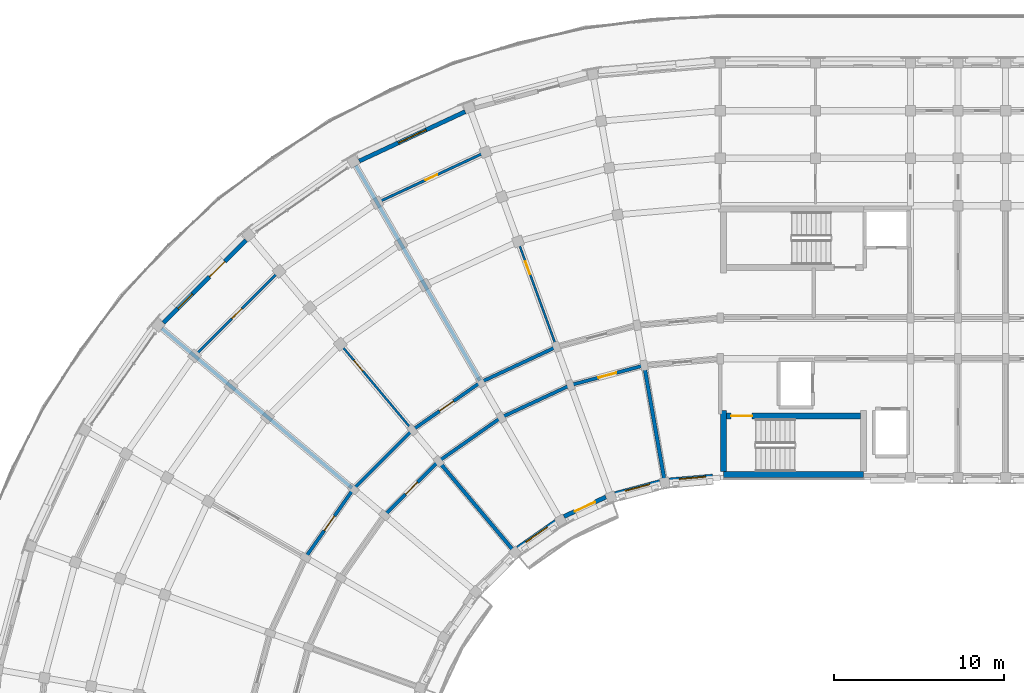
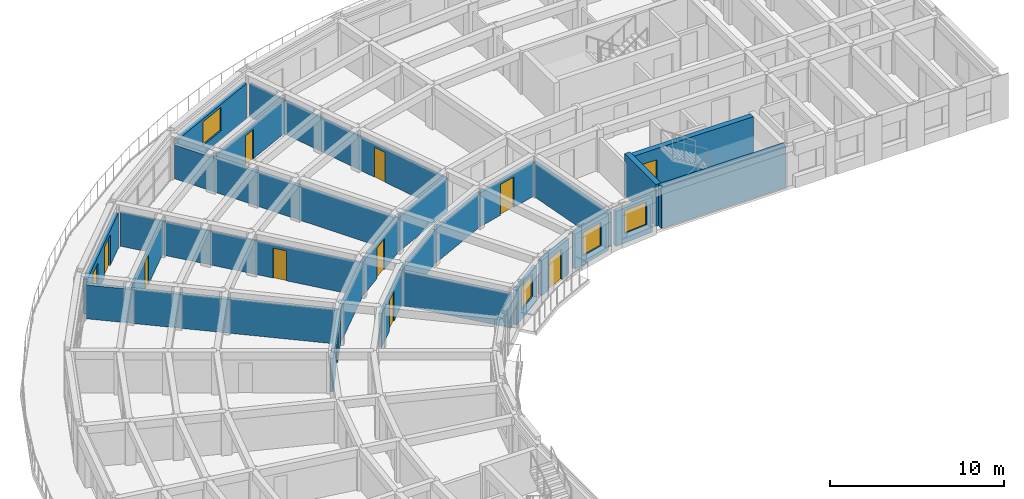
# One storey, part 13 of 32: 25 walls, 11 doors, 5 windows, 16 openings.
"""IFC4 building model written with IfcOpenShell, lengths in metres."""

import ifcopenshell
import ifcopenshell.guid

model = None  # the IFC model being written
_history = None  # IfcOwnerHistory: only IFC2X3 demands one
_inside = {}  # id of a spatial element -> (the spatial element, [elements in it])
_under = {}  # id of a project, library or spatial element -> (it, [spatial elements below it])
_declared = {}  # id of a project -> (the project, [libraries it declares])
_typed = {}  # id of a type object -> (the type object, [elements of that type])
_made_of = {}  # id of a material, layer set ... -> (it, [elements and type objects made of it])


def new_model(schema):
    """Start an empty IFC model of exactly this schema.

    Asked for "IFC4X3", IfcOpenShell would pick the latest addendum, in which some entities
    have other attributes; the version numbers below select the first issue.
    IFC2X3 requires an IfcOwnerHistory on every rooted entity: one is made here for all.
    """
    global model, _history
    if schema == "IFC4X3":
        model = ifcopenshell.file(schema_version=(4, 3, 0, 0))
    else:
        model = ifcopenshell.file(schema=schema)
    _inside.clear()
    _under.clear()
    _declared.clear()
    _typed.clear()
    _made_of.clear()
    _history = None
    if model.schema == "IFC2X3":
        org = make("IfcOrganization", Name="unknown")
        user = make(
            "IfcPersonAndOrganization",
            ThePerson=make("IfcPerson", FamilyName="unknown"),
            TheOrganization=org,
        )
        app = make(
            "IfcApplication",
            ApplicationDeveloper=org,
            Version="unknown",
            ApplicationFullName="unknown",
            ApplicationIdentifier="unknown",
        )
        _history = make(
            "IfcOwnerHistory",
            OwningUser=user,
            OwningApplication=app,
            ChangeAction="ADDED",
            CreationDate=0,
        )
    return model


def make(cls, **values):
    """One entity of the class cls with the attributes given. An attribute that is None is left unset."""
    return model.create_entity(
        cls, **{name: value for name, value in values.items() if value is not None}
    )


def rooted(cls, **values):
    """An entity with a GlobalId (a new one), such as an element, a storey or a relation."""
    return make(cls, GlobalId=ifcopenshell.guid.new(), OwnerHistory=_history, **values)


def si_unit(unit_type, name, prefix=None):
    """IfcSIUnit, for example si_unit("LENGTHUNIT", "METRE", prefix="MILLI")."""
    return make("IfcSIUnit", UnitType=unit_type, Prefix=prefix, Name=name)


def assignment(units):
    """IfcUnitAssignment: the units of a project."""
    return None if units is None else make("IfcUnitAssignment", Units=units)


def point(xyz):
    """IfcCartesianPoint."""
    return None if xyz is None else make("IfcCartesianPoint", Coordinates=xyz)


def direction(xyz):
    """IfcDirection."""
    return None if xyz is None else make("IfcDirection", DirectionRatios=xyz)


def frame(location, z_axis=None, x_axis=None):
    """IfcAxis2Placement3D, a coordinate frame: its origin and axes. An axis left out is left unset."""
    return make(
        "IfcAxis2Placement3D",
        Location=point(location),
        Axis=direction(z_axis),
        RefDirection=direction(x_axis),
    )


def frame_2d(location, x_axis=None):
    """IfcAxis2Placement2D, a coordinate frame in the plane: its origin and x axis."""
    return make(
        "IfcAxis2Placement2D", Location=point(location), RefDirection=direction(x_axis)
    )


def origin():
    """The frame at (0, 0, 0) with its axes left unset."""
    return frame((0.0, 0.0, 0.0))


def place(relative_to, where):
    """IfcLocalPlacement: puts the frame where relative to a parent placement (None: the world)."""
    return make(
        "IfcLocalPlacement", PlacementRelTo=relative_to, RelativePlacement=where
    )


def context(
    kind, dimensions, precision=None, world=None, true_north=None, identifier=None
):
    """IfcGeometricRepresentationContext, for example the 3D "Model" context."""
    return make(
        "IfcGeometricRepresentationContext",
        ContextIdentifier=identifier,
        ContextType=kind,
        CoordinateSpaceDimension=dimensions,
        Precision=precision,
        WorldCoordinateSystem=world,
        TrueNorth=true_north,
    )


def subcontext(parent, identifier, kind, view, scale=None):
    """IfcGeometricRepresentationSubContext, for example "Body" below "Model"."""
    return make(
        "IfcGeometricRepresentationSubContext",
        ContextIdentifier=identifier,
        ContextType=kind,
        ParentContext=parent,
        TargetScale=scale,
        TargetView=view,
    )


def project(units=None, contexts=None):
    """IfcProject with its units and contexts."""
    return rooted(
        "IfcProject",
        Name="project",
        RepresentationContexts=contexts,
        UnitsInContext=assignment(units),
    )


def spatial(cls, under=None, at=None, **own):
    """A site, building, storey or space (cls), placed at a placement, below another one or the project."""
    s = rooted(cls, ObjectPlacement=at, **own)
    if under is not None:
        _under.setdefault(under.id(), (under, []))[1].append(s)
    return s


def profile(cls, at=None, kind="AREA", **sizes):
    """A parametric profile (cls). Its sizes go by their IFC names, for example OverallWidth=200.0."""
    return make(cls, ProfileType=kind, Position=at, **sizes)


def rectangle(**sizes):
    """IfcRectangleProfileDef."""
    return profile("IfcRectangleProfileDef", **sizes)


def extrude(swept, where, along, depth):
    """IfcExtrudedAreaSolid: the profile swept, set in the frame where, extruded along a direction by depth."""
    return make(
        "IfcExtrudedAreaSolid",
        SweptArea=swept,
        Position=where,
        ExtrudedDirection=direction(along),
        Depth=depth,
    )


def shape(context_of_items, identifier, shape_type, items):
    """IfcShapeRepresentation: the items that make up one representation, for example the "Body"."""
    return make(
        "IfcShapeRepresentation",
        ContextOfItems=context_of_items,
        RepresentationIdentifier=identifier,
        RepresentationType=shape_type,
        Items=items,
    )


def material(Name=None, Category=None):
    """IfcMaterial."""
    return make("IfcMaterial", Name=Name, Category=Category)


def layer(
    of_material, thickness, ventilated=None, Name=None, Category=None, Priority=None
):
    """IfcMaterialLayer: one layer of a wall or slab, of a material (None: an air gap)."""
    return make(
        "IfcMaterialLayer",
        Material=of_material,
        LayerThickness=thickness,
        IsVentilated=ventilated,
        Name=Name,
        Category=Category,
        Priority=Priority,
    )


def layer_set(layers, Name=None):
    """IfcMaterialLayerSet."""
    return make("IfcMaterialLayerSet", MaterialLayers=layers, LayerSetName=Name)


def made_of(thing, what):
    """Note that an element or type object is made of a material, layer set ...; save() writes the relation."""
    if what is not None:
        _made_of.setdefault(what.id(), (what, []))[1].append(thing)
    return thing


def type_object(cls, material=None, **own):
    """A type object (cls), such as IfcWallType, which elements share."""
    return made_of(rooted(cls, **own), material)


def element(
    cls,
    number,
    at=None,
    inside=None,
    cuts=None,
    type_object=None,
    material=None,
    context=None,
    identifier="Body",
    shape_type=None,
    held_by="IfcProductDefinitionShape",
    body=None,
    shapes=None,
    **own,
):
    """One element of the class cls, such as IfcWall. Its Tag is "e" and its number.

    at: its placement. inside: the storey or other place that contains it. cuts: it is an
    opening in that element (IfcRelVoidsElement). A single representation is given by context,
    identifier, shape_type and body (its items); several are given by shapes. held_by: the class
    of the entity that holds the representations. save() writes the other relations.
    """
    e = rooted(cls, Tag="e%d" % number, ObjectPlacement=at, **own)
    if body is not None:
        shapes = [shape(context, identifier, shape_type, body)]
    if shapes is not None:
        e.Representation = make(held_by, Representations=shapes)
    if inside is not None:
        _inside.setdefault(inside.id(), (inside, []))[1].append(e)
    if cuts is not None:
        rooted(
            "IfcRelVoidsElement", RelatingBuildingElement=cuts, RelatedOpeningElement=e
        )
    if type_object is not None:
        _typed.setdefault(type_object.id(), (type_object, []))[1].append(e)
    return made_of(e, material)


def fill(opening, filler):
    """IfcRelFillsElement: the door or window that sits in an opening."""
    return rooted(
        "IfcRelFillsElement",
        RelatingOpeningElement=opening,
        RelatedBuildingElement=filler,
    )


def aggregate(whole, parts):
    """IfcRelAggregates: a whole, such as a stair, and the parts it consists of."""
    return rooted("IfcRelAggregates", RelatingObject=whole, RelatedObjects=parts)


def save(model, path):
    """Write the relations noted so far, then the file.

    IfcRelAggregates (storeys below a building ...), IfcRelContainedInSpatialStructure (elements
    in a storey), IfcRelDefinesByType, IfcRelAssociatesMaterial and IfcRelDeclares: one each for
    every whole, place, type object, material and project.
    """
    for whole, parts in _under.values():
        aggregate(whole, parts)
    for where, things in _inside.values():
        rooted(
            "IfcRelContainedInSpatialStructure",
            RelatedElements=things,
            RelatingStructure=where,
        )
    for kind, things in _typed.values():
        rooted("IfcRelDefinesByType", RelatedObjects=things, RelatingType=kind)
    for what, things in _made_of.values():
        rooted("IfcRelAssociatesMaterial", RelatedObjects=things, RelatingMaterial=what)
    for by, libraries in _declared.values():
        rooted("IfcRelDeclares", RelatingContext=by, RelatedDefinitions=libraries)
    model.write(path)


model = new_model("IFC4")

# Units and contexts
model_context = context("Model", 3, precision=1e-05, world=origin(), true_north=direction((0.0, 1.0)))
body_context = subcontext(model_context, "Body", "Model", "MODEL_VIEW")
ifc_project = project(units=[si_unit("LENGTHUNIT", "METRE"), si_unit("AREAUNIT", "SQUARE_METRE"), si_unit("VOLUMEUNIT", "CUBIC_METRE"), si_unit("PLANEANGLEUNIT", "RADIAN"), si_unit("MASSUNIT", "GRAM", prefix="KILO")], contexts=[model_context])

# Site, building, storey
site_placement = place(None, origin())
site = spatial("IfcSite", under=ifc_project, at=site_placement, CompositionType="ELEMENT")
building_placement = place(site_placement, origin())
building = spatial("IfcBuilding", under=site, at=building_placement, Name="Kiranvali Square Residences", CompositionType="ELEMENT")
storey_placement = place(building_placement, frame((0.0, 0.0, 40.199951171875)))
storey = spatial("IfcBuildingStorey", under=building, at=storey_placement, Name="L12", CompositionType="ELEMENT", Elevation=40.199951171875)

# Wall, opening, door
ifc_material_1 = material(Name="Autoclaved aerated concrete blockwork masonry", Category="masonry")
ifc_layer_1 = layer(ifc_material_1, 0.199951171875)
ifc_layer_set_1 = layer_set([ifc_layer_1], Name="Autoclaved aerated concrete blockwork masonry")
wall_type_1 = type_object("IfcWallType", Name="WL-COR-200", PredefinedType="STANDARD", material=ifc_layer_set_1)
wall_1_placement = place(storey_placement, frame((43.719970703125, 113.2080078125, 0.0), z_axis=(0.0, 0.0, 1.0), x_axis=(-0.965934240054, -0.258787642463, 0.0)))
wall_1 = element("IfcWall", 1, at=wall_1_placement, inside=storey, type_object=wall_type_1, Name="L12 architectural wall WL-L12-A-CCI-1", PredefinedType="STANDARD", context=body_context, shape_type="SweptSolid", body=[
    extrude(rectangle(XDim=4.497314453125, YDim=0.199951171875, at=frame_2d((2.24853515625, 0.0))), origin(), (0.0, 0.0, 1.0), 2.3720703125),
])
opening_1_placement = place(wall_1_placement, frame((1.708740234375, 0.0, 0.0)))
opening_1 = element("IfcOpeningElement", 2, at=opening_1_placement, cuts=wall_1, Name="Opening FD-APT-60C", PredefinedType="OPENING", context=body_context, shape_type="SweptSolid", body=[
    extrude(rectangle(XDim=1.080078125, YDim=2.14990234375, at=frame_2d((0.5400390625, 1.074951171875))), frame((0.0, 0.10986328125, 0.0), z_axis=(0.0, -1.0, 0.0), x_axis=(1.0, 0.0, 0.0)), (0.0, 0.0, 1.0), 0.219970703125),
])
ifc_material_2 = material(Name="Fire-rated acoustic hardwood and mineral-core door assembly", Category="wood")
door_type_1 = type_object("IfcDoorType", Name="DR-APT-1080", OperationType="NOTDEFINED", PredefinedType="DOOR", material=ifc_material_2)
door_1_placement = place(opening_1_placement, frame((1.080078125, 0.0, 0.0), z_axis=(0.0, 0.0, 1.0), x_axis=(-1.0, 0.0, 0.0)))
door_1 = element("IfcDoor", 3, at=door_1_placement, inside=storey, type_object=door_type_1, Name="L12 door DR-L12-0782 (DR-APT-1080)", OperationType="SINGLE_SWING_RIGHT", OverallHeight=2.14990234375, OverallWidth=1.080078125, PredefinedType="DOOR", context=body_context, shape_type="SweptSolid", body=[
    extrude(rectangle(XDim=1.080078125, YDim=2.14990234375, at=frame_2d((0.5400390625, 1.074951171875))), frame((0.0, 0.02490234375, 0.0), z_axis=(0.0, -1.0, 0.0), x_axis=(1.0, 0.0, 0.0)), (0.0, 0.0, 1.0), 0.050048828125),
])
fill(opening_1, door_1)

# Walls
wall_2_placement = place(storey_placement, frame((39.3759765625, 112.044189453125, 0.0), z_axis=(0.0, 0.0, 1.0), x_axis=(-0.906307919131, -0.422617978463, 0.0)))
element("IfcWall", 4, at=wall_2_placement, inside=storey, type_object=wall_type_1, Name="L12 architectural wall WL-L12-A-CCI-2", PredefinedType="STANDARD", context=body_context, shape_type="SweptSolid", body=[
    extrude(rectangle(XDim=4.497314453125, YDim=0.199951171875, at=frame_2d((2.24853515625, 0.0))), origin(), (0.0, 0.0, 1.0), 2.3720703125),
])
wall_3_placement = place(storey_placement, frame((38.554931640625, 114.29931640625, 0.0), z_axis=(0.0, 0.0, 1.0), x_axis=(-0.906302381024, -0.422629854778, 0.0)))
element("IfcWall", 5, at=wall_3_placement, inside=storey, type_object=wall_type_1, Name="L12 architectural wall WL-L12-A-CCO-2", PredefinedType="STANDARD", context=body_context, shape_type="SweptSolid", body=[
    extrude(rectangle(XDim=4.915283203125, YDim=0.199951171875, at=frame_2d((2.45751953125, 0.0))), origin(), (0.0, 0.0, 1.0), 2.3720703125),
])
wall_4_placement = place(storey_placement, frame((35.300048828125, 110.1435546875, 0.0), z_axis=(0.0, 0.0, 1.0), x_axis=(-0.819155404658, -0.573571637217, 0.0)))
element("IfcWall", 6, at=wall_4_placement, inside=storey, type_object=wall_type_1, Name="L12 architectural wall WL-L12-A-CCI-3", PredefinedType="STANDARD", context=body_context, shape_type="SweptSolid", body=[
    extrude(rectangle(XDim=4.497314453125, YDim=0.199951171875, at=frame_2d((2.24853515625, 0.0))), origin(), (0.0, 0.0, 1.0), 2.3720703125),
])

# Wall, opening, door
wall_5_placement = place(storey_placement, frame((34.10009765625, 112.221923828125, 0.0), z_axis=(0.0, 0.0, 1.0), x_axis=(-0.819140911474, -0.573592335331, 0.0)))
wall_5 = element("IfcWall", 7, at=wall_5_placement, inside=storey, type_object=wall_type_1, Name="L12 architectural wall WL-L12-A-CCO-3", PredefinedType="STANDARD", context=body_context, shape_type="SweptSolid", body=[
    extrude(rectangle(XDim=4.915771484375, YDim=0.199951171875, at=frame_2d((2.4580078125, 0.0))), origin(), (0.0, 0.0, 1.0), 2.3720703125),
])
opening_2_placement = place(wall_5_placement, frame((1.957763671875, 0.0, 0.0)))
opening_2 = element("IfcOpeningElement", 8, at=opening_2_placement, cuts=wall_5, Name="Opening FD-APT-60", PredefinedType="OPENING", context=body_context, shape_type="SweptSolid", body=[
    extrude(rectangle(XDim=1.0, YDim=2.14990234375, at=frame_2d((0.5, 1.074951171875))), frame((0.0, 0.10986328125, 0.0), z_axis=(0.0, -1.0, 0.0), x_axis=(1.0, 0.0, 0.0)), (0.0, 0.0, 1.0), 0.219970703125),
])
door_type_2 = type_object("IfcDoorType", Name="DR-APT-1000", OperationType="NOTDEFINED", PredefinedType="DOOR", material=ifc_material_2)
door_2_placement = place(opening_2_placement, origin())
door_2 = element("IfcDoor", 9, at=door_2_placement, inside=storey, type_object=door_type_2, Name="L12 door DR-L12-0775 (DR-APT-1000)", OperationType="SINGLE_SWING_LEFT", OverallHeight=2.14990234375, OverallWidth=1.0, PredefinedType="DOOR", context=body_context, shape_type="SweptSolid", body=[
    extrude(rectangle(XDim=1.0, YDim=2.14990234375, at=frame_2d((0.5, 1.074951171875))), frame((0.0, 0.02490234375, 0.0), z_axis=(0.0, -1.0, 0.0), x_axis=(1.0, 0.0, 0.0)), (0.0, 0.0, 1.0), 0.050048828125),
])
fill(opening_2, door_2)

wall_6_placement = place(storey_placement, frame((31.615966796875, 107.56396484375, 0.0), z_axis=(0.0, 0.0, 1.0), x_axis=(-0.707106781187, -0.707106781187, 0.0)))
wall_6 = element("IfcWall", 10, at=wall_6_placement, inside=storey, type_object=wall_type_1, Name="L12 architectural wall WL-L12-A-CCI-4", PredefinedType="STANDARD", context=body_context, shape_type="SweptSolid", body=[
    extrude(rectangle(XDim=4.4970703125, YDim=0.199951171875, at=frame_2d((2.24853515625, 0.0))), origin(), (0.0, 0.0, 1.0), 2.3720703125),
])
opening_3_placement = place(wall_6_placement, frame((1.74853515625, 0.0, 0.0)))
opening_3 = element("IfcOpeningElement", 11, at=opening_3_placement, cuts=wall_6, Name="Opening FD-APT-60", PredefinedType="OPENING", context=body_context, shape_type="SweptSolid", body=[
    extrude(rectangle(XDim=1.0, YDim=2.14990234375, at=frame_2d((0.5, 1.074951171875))), frame((0.0, 0.10986328125, 0.0), z_axis=(0.0, -1.0, 0.0), x_axis=(1.0, 0.0, 0.0)), (0.0, 0.0, 1.0), 0.219970703125),
])
door_3_placement = place(opening_3_placement, origin())
door_3 = element("IfcDoor", 12, at=door_3_placement, inside=storey, type_object=door_type_2, Name="L12 door DR-L12-0783 (DR-APT-1000)", OperationType="SINGLE_SWING_LEFT", OverallHeight=2.14990234375, OverallWidth=1.0, PredefinedType="DOOR", context=body_context, shape_type="SweptSolid", body=[
    extrude(rectangle(XDim=1.0, YDim=2.14990234375, at=frame_2d((0.5, 1.074951171875))), frame((0.0, 0.02490234375, 0.0), z_axis=(0.0, -1.0, 0.0), x_axis=(1.0, 0.0, 0.0)), (0.0, 0.0, 1.0), 0.050048828125),
])
fill(opening_3, door_3)

# Wall
wall_7_placement = place(storey_placement, frame((30.073486328125, 109.40234375, 0.0), z_axis=(0.0, 0.0, 1.0), x_axis=(-0.707106781187, -0.707106781187, 0.0)))
element("IfcWall", 13, at=wall_7_placement, inside=storey, type_object=wall_type_1, Name="L12 architectural wall WL-L12-A-CCO-4", PredefinedType="STANDARD", context=body_context, shape_type="SweptSolid", body=[
    extrude(rectangle(XDim=4.91552734375, YDim=0.199951171875, at=frame_2d((2.457763671875, 0.0))), origin(), (0.0, 0.0, 1.0), 2.3720703125),
])

# Wall, opening, door
wall_8_placement = place(storey_placement, frame((26.59765625, 105.926513671875, 0.0), z_axis=(0.0, 0.0, 1.0), x_axis=(-0.573592335331, -0.819140911474, 0.0)))
wall_8 = element("IfcWall", 14, at=wall_8_placement, inside=storey, type_object=wall_type_1, Name="L12 architectural wall WL-L12-A-CCO-5", PredefinedType="STANDARD", context=body_context, shape_type="SweptSolid", body=[
    extrude(rectangle(XDim=4.915771484375, YDim=0.199951171875, at=frame_2d((2.4580078125, 0.0))), origin(), (0.0, 0.0, 1.0), 2.3720703125),
])
opening_4_placement = place(wall_8_placement, frame((1.937744140625, 0.0, 0.0)))
opening_4 = element("IfcOpeningElement", 15, at=opening_4_placement, cuts=wall_8, Name="Opening FD-APT-60B", PredefinedType="OPENING", context=body_context, shape_type="SweptSolid", body=[
    extrude(rectangle(XDim=1.0400390625, YDim=2.14990234375, at=frame_2d((0.52001953125, 1.074951171875))), frame((0.0, 0.10986328125, 0.0), z_axis=(0.0, -1.0, 0.0), x_axis=(1.0, 0.0, 0.0)), (0.0, 0.0, 1.0), 0.219970703125),
])
door_type_3 = type_object("IfcDoorType", Name="DR-APT-1040", OperationType="NOTDEFINED", PredefinedType="DOOR", material=ifc_material_2)
door_4_placement = place(opening_4_placement, origin())
door_4 = element("IfcDoor", 16, at=door_4_placement, inside=storey, type_object=door_type_3, Name="L12 door DR-L12-0777 (DR-APT-1040)", OperationType="SINGLE_SWING_LEFT", OverallHeight=2.14990234375, OverallWidth=1.0400390625, PredefinedType="DOOR", context=body_context, shape_type="SweptSolid", body=[
    extrude(rectangle(XDim=1.0400390625, YDim=2.14990234375, at=frame_2d((0.52001953125, 1.074951171875))), frame((0.0, 0.02490234375, 0.0), z_axis=(0.0, -1.0, 0.0), x_axis=(1.0, 0.0, 0.0)), (0.0, 0.0, 1.0), 0.050048828125),
])
fill(opening_4, door_4)

# Walls
ifc_layer_2 = layer(ifc_material_1, 0.219970703125)
ifc_layer_set_2 = layer_set([ifc_layer_2], Name="Autoclaved aerated concrete blockwork masonry")
wall_type_2 = type_object("IfcWallType", Name="WL-DEM-220", PredefinedType="STANDARD", material=ifc_layer_set_2)
wall_9_placement = place(storey_placement, frame((44.900634765625, 106.51123046875, 0.0), z_axis=(0.0, 0.0, 1.0), x_axis=(-0.173647089161, 0.984807944945, 0.0)))
element("IfcWall", 17, at=wall_9_placement, inside=storey, type_object=wall_type_2, Name="L12 architectural wall WL-L12-A-RADI-1", PredefinedType="STANDARD", context=body_context, shape_type="SweptSolid", body=[
    extrude(rectangle(XDim=6.75, YDim=0.219970703125, at=frame_2d((3.375, 0.0))), origin(), (0.0, 0.0, 1.0), 2.3720703125),
])
wall_10_placement = place(storey_placement, frame((34.050048828125, 112.30859375, 0.0), z_axis=(0.0, 0.0, 1.0), x_axis=(-0.500007702989, 0.866020956416, 0.0)))
element("IfcWall", 18, at=wall_10_placement, inside=storey, type_object=wall_type_2, Name="L12 architectural wall WL-L12-A-RADO-3", PredefinedType="STANDARD", context=body_context, shape_type="SweptSolid", body=[
    extrude(rectangle(XDim=14.619873046875, YDim=0.219970703125, at=frame_2d((7.31005859375, 0.0))), origin(), (0.0, 0.0, 1.0), 2.3720703125),
])
wall_11_placement = place(storey_placement, frame((35.987060546875, 102.354736328125, 0.0), z_axis=(0.0, 0.0, 1.0), x_axis=(-0.642784846501, 0.766046761698, 0.0)))
element("IfcWall", 19, at=wall_11_placement, inside=storey, type_object=wall_type_2, Name="L12 architectural wall WL-L12-A-RADI-4", PredefinedType="STANDARD", context=body_context, shape_type="SweptSolid", body=[
    extrude(rectangle(XDim=6.75, YDim=0.219970703125, at=frame_2d((3.375, 0.0))), origin(), (0.0, 0.0, 1.0), 2.3720703125),
])
wall_12_placement = place(storey_placement, frame((26.52099609375, 105.990966796875, 0.0), z_axis=(0.0, 0.0, 1.0), x_axis=(-0.76605148563, 0.642779216656, 0.0)))
element("IfcWall", 20, at=wall_12_placement, inside=storey, type_object=wall_type_2, Name="L12 architectural wall WL-L12-A-RADO-5", PredefinedType="STANDARD", context=body_context, shape_type="SweptSolid", body=[
    extrude(rectangle(XDim=14.6201171875, YDim=0.219970703125, at=frame_2d((7.31005859375, 0.0))), origin(), (0.0, 0.0, 1.0), 2.3720703125),
])

# Wall, opening, window
ifc_material_3 = material(Name="Breathable lime-rendered clay brick masonry", Category="masonry")
ifc_layer_3 = layer(ifc_material_3, 0.25)
ifc_layer_set_3 = layer_set([ifc_layer_3], Name="Breathable lime-rendered clay brick masonry")
wall_type_3 = type_object("IfcWallType", Name="WL-EXT-250", PredefinedType="STANDARD", material=ifc_layer_set_3)
wall_13_placement = place(storey_placement, frame((33.182373046875, 128.143798828125, 0.0), z_axis=(0.0, 0.0, 1.0), x_axis=(-0.906302789289, -0.422628979279, 0.0)))
wall_13 = element("IfcWall", 21, at=wall_13_placement, inside=storey, type_object=wall_type_3, Name="L12 exterior wall A-L12-CRV-02", PredefinedType="STANDARD", context=body_context, shape_type="SweptSolid", body=[
    extrude(rectangle(XDim=6.87890625, YDim=0.25, at=frame_2d((3.439453125, 0.0))), origin(), (0.0, 0.0, 1.0), 2.47998046875),
])
opening_5_placement = place(wall_13_placement, frame((2.53955078125, 0.0, 0.6298828125)))
opening_5 = element("IfcOpeningElement", 22, at=opening_5_placement, cuts=wall_13, Name="Opening W-04", PredefinedType="OPENING", context=body_context, shape_type="SweptSolid", body=[
    extrude(rectangle(XDim=1.800048828125, YDim=1.64990234375, at=frame_2d((0.89990234375, 0.824951171875))), frame((0.0, 0.135009765625, 0.0), z_axis=(0.0, -1.0, 0.0), x_axis=(1.0, 0.0, 0.0)), (0.0, 0.0, 1.0), 0.27001953125),
])
ifc_material_4 = material(Name="Solar-control low-e double glazing", Category="glass")
window_type_1 = type_object("IfcWindowType", Name="WIN-RES-1800x1650", PartitioningType="DOUBLE_PANEL_VERTICAL", PredefinedType="WINDOW", material=ifc_material_4)
window_1_placement = place(opening_5_placement, origin())
window_1 = element("IfcWindow", 23, at=window_1_placement, inside=storey, type_object=window_type_1, Name="L12 recessed window A-L12-CRV-02", OverallHeight=1.64990234375, OverallWidth=1.800048828125, PartitioningType="DOUBLE_PANEL_VERTICAL", PredefinedType="WINDOW", context=body_context, shape_type="SweptSolid", body=[
    extrude(rectangle(XDim=1.800048828125, YDim=1.64990234375, at=frame_2d((0.89990234375, 0.824951171875))), frame((0.0, 0.030029296875, 0.0), z_axis=(0.0, -1.0, 0.0), x_axis=(1.0, 0.0, 0.0)), (0.0, 0.0, 1.0), 0.06005859375),
])
fill(opening_5, window_1)

# Wall, openings, door, window
wall_14_placement = place(storey_placement, frame((20.289794921875, 120.574462890625, 0.0), z_axis=(0.0, 0.0, 1.0), x_axis=(-0.707106781187, -0.707106781187, 0.0)))
wall_14 = element("IfcWall", 24, at=wall_14_placement, inside=storey, type_object=wall_type_3, Name="L12 exterior wall A-L12-CRV-04", PredefinedType="STANDARD", context=body_context, shape_type="SweptSolid", body=[
    extrude(rectangle(XDim=6.879150390625, YDim=0.25, at=frame_2d((3.439453125, 0.0))), origin(), (0.0, 0.0, 1.0), 2.47998046875),
])
opening_6_placement = place(wall_14_placement, frame((4.478759765625, 0.0, 0.530029296875)))
opening_6 = element("IfcOpeningElement", 25, at=opening_6_placement, cuts=wall_14, Name="Opening W-06", PredefinedType="OPENING", context=body_context, shape_type="SweptSolid", body=[
    extrude(rectangle(XDim=1.199951171875, YDim=1.5, at=frame_2d((0.60009765625, 0.75))), frame((0.0, 0.135009765625, 0.0), z_axis=(0.0, -1.0, 0.0), x_axis=(1.0, 0.0, 0.0)), (0.0, 0.0, 1.0), 0.27001953125),
])
opening_7_placement = place(wall_14_placement, frame((1.777587890625, 0.0, 0.0)))
opening_7 = element("IfcOpeningElement", 26, at=opening_7_placement, cuts=wall_14, Name="Opening ED-BAL-2", PredefinedType="OPENING", context=body_context, shape_type="SweptSolid", body=[
    extrude(rectangle(XDim=1.260009765625, YDim=2.14990234375, at=frame_2d((0.6298828125, 1.074951171875))), frame((0.0, 0.135009765625, 0.0), z_axis=(0.0, -1.0, 0.0), x_axis=(1.0, 0.0, 0.0)), (0.0, 0.0, 1.0), 0.27001953125),
])
ifc_material_5 = material(Name="Anodised bronze aluminium framing", Category="aluminium")
door_type_4 = type_object("IfcDoorType", Name="DR-BAL-1260", OperationType="NOTDEFINED", PredefinedType="DOOR", material=ifc_material_5)
door_5_placement = place(opening_7_placement, frame((1.260009765625, 0.0, 0.0), z_axis=(0.0, 0.0, 1.0), x_axis=(-1.0, 0.0, 0.0)))
door_5 = element("IfcDoor", 27, at=door_5_placement, inside=storey, type_object=door_type_4, Name="L12 balcony terrace door", OperationType="SINGLE_SWING_LEFT", OverallHeight=2.14990234375, OverallWidth=1.260009765625, PredefinedType="DOOR", context=body_context, shape_type="SweptSolid", body=[
    extrude(rectangle(XDim=1.260009765625, YDim=2.14990234375, at=frame_2d((0.6298828125, 1.074951171875))), frame((0.0, 0.02490234375, 0.0), z_axis=(0.0, -1.0, 0.0), x_axis=(1.0, 0.0, 0.0)), (0.0, 0.0, 1.0), 0.050048828125),
])
fill(opening_7, door_5)
window_type_2 = type_object("IfcWindowType", Name="WIN-RES-1200x1500", PartitioningType="SINGLE_PANEL", PredefinedType="WINDOW", material=ifc_material_4)
window_2_placement = place(opening_6_placement, origin())
window_2 = element("IfcWindow", 28, at=window_2_placement, inside=storey, type_object=window_type_2, Name="L12 recessed window A-L12-CRV-04", OverallHeight=1.5, OverallWidth=1.199951171875, PartitioningType="SINGLE_PANEL", PredefinedType="WINDOW", context=body_context, shape_type="SweptSolid", body=[
    extrude(rectangle(XDim=1.199951171875, YDim=1.5, at=frame_2d((0.60009765625, 0.75))), frame((0.0, 0.030029296875, 0.0), z_axis=(0.0, -1.0, 0.0), x_axis=(1.0, 0.0, 0.0)), (0.0, 0.0, 1.0), 0.06005859375),
])
fill(opening_6, window_2)

# Wall, opening, window
wall_15_placement = place(storey_placement, frame((47.750732421875, 106.686279296875, 0.0), z_axis=(0.0, 0.0, 1.0), x_axis=(-0.996188847542, -0.087222589008, 0.0)))
wall_15 = element("IfcWall", 29, at=wall_15_placement, inside=storey, type_object=wall_type_3, Name="L12 exterior wall A-L12-GDN-00", PredefinedType="STANDARD", context=body_context, shape_type="SweptSolid", body=[
    extrude(rectangle(XDim=2.558349609375, YDim=0.25, at=frame_2d((1.279296875, 0.0))), origin(), (0.0, 0.0, 1.0), 2.47216796875),
])
opening_8_placement = place(wall_15_placement, frame((0.423583984375, 0.0, 0.672119140625)))
opening_8 = element("IfcOpeningElement", 30, at=opening_8_placement, cuts=wall_15, Name="Opening W-18", PredefinedType="OPENING", context=body_context, shape_type="SweptSolid", body=[
    extrude(rectangle(XDim=1.550048828125, YDim=1.60009765625, at=frame_2d((0.77490234375, 0.800048828125))), frame((0.0, 0.135009765625, 0.0), z_axis=(0.0, -1.0, 0.0), x_axis=(1.0, 0.0, 0.0)), (0.0, 0.0, 1.0), 0.27001953125),
])
window_type_3 = type_object("IfcWindowType", Name="WIN-GDN-1550x1600", PartitioningType="DOUBLE_PANEL_VERTICAL", PredefinedType="WINDOW", material=ifc_material_4)
window_3_placement = place(opening_8_placement, origin())
window_3 = element("IfcWindow", 31, at=window_3_placement, inside=storey, type_object=window_type_3, Name="L12 recessed window A-L12-GDN-00", OverallHeight=1.60009765625, OverallWidth=1.550048828125, PartitioningType="DOUBLE_PANEL_VERTICAL", PredefinedType="WINDOW", context=body_context, shape_type="SweptSolid", body=[
    extrude(rectangle(XDim=1.550048828125, YDim=1.60009765625, at=frame_2d((0.77490234375, 0.800048828125))), frame((0.0, 0.030029296875, 0.0), z_axis=(0.0, -1.0, 0.0), x_axis=(1.0, 0.0, 0.0)), (0.0, 0.0, 1.0), 0.06005859375),
])
fill(opening_8, window_3)

wall_16_placement = place(storey_placement, frame((44.6337890625, 106.363037109375, 0.0), z_axis=(0.0, 0.0, 1.0), x_axis=(-0.965928818058, -0.258807879411, 0.0)))
wall_16 = element("IfcWall", 32, at=wall_16_placement, inside=storey, type_object=wall_type_3, Name="L12 exterior wall A-L12-GDN-01", PredefinedType="STANDARD", context=body_context, shape_type="SweptSolid", body=[
    extrude(rectangle(XDim=2.7197265625, YDim=0.25, at=frame_2d((1.35986328125, 0.0))), origin(), (0.0, 0.0, 1.0), 2.47216796875),
])
opening_9_placement = place(wall_16_placement, frame((0.60986328125, 0.0, 0.6220703125)))
opening_9 = element("IfcOpeningElement", 33, at=opening_9_placement, cuts=wall_16, Name="Opening W-05", PredefinedType="OPENING", context=body_context, shape_type="SweptSolid", body=[
    extrude(rectangle(XDim=1.5, YDim=1.64990234375, at=frame_2d((0.75, 0.824951171875))), frame((0.0, 0.135009765625, 0.0), z_axis=(0.0, -1.0, 0.0), x_axis=(1.0, 0.0, 0.0)), (0.0, 0.0, 1.0), 0.27001953125),
])
window_type_4 = type_object("IfcWindowType", Name="WIN-RES-1500x1650", PartitioningType="DOUBLE_PANEL_VERTICAL", PredefinedType="WINDOW", material=ifc_material_4)
window_4_placement = place(opening_9_placement, origin())
window_4 = element("IfcWindow", 34, at=window_4_placement, inside=storey, type_object=window_type_4, Name="L12 recessed window A-L12-GDN-01", OverallHeight=1.64990234375, OverallWidth=1.5, PartitioningType="DOUBLE_PANEL_VERTICAL", PredefinedType="WINDOW", context=body_context, shape_type="SweptSolid", body=[
    extrude(rectangle(XDim=1.5, YDim=1.64990234375, at=frame_2d((0.75, 0.824951171875))), frame((0.0, 0.030029296875, 0.0), z_axis=(0.0, -1.0, 0.0), x_axis=(1.0, 0.0, 0.0)), (0.0, 0.0, 1.0), 0.06005859375),
])
fill(opening_9, window_4)

# Wall, opening, door
wall_17_placement = place(storey_placement, frame((41.464599609375, 105.461669921875, 0.0), z_axis=(0.0, 0.0, 1.0), x_axis=(-0.906302358412, -0.422629903269, 0.0)))
wall_17 = element("IfcWall", 35, at=wall_17_placement, inside=storey, type_object=wall_type_3, Name="L12 exterior wall A-L12-GDN-02", PredefinedType="STANDARD", context=body_context, shape_type="SweptSolid", body=[
    extrude(rectangle(XDim=2.7197265625, YDim=0.25, at=frame_2d((1.35986328125, 0.0))), origin(), (0.0, 0.0, 1.0), 2.47216796875),
])
opening_10_placement = place(wall_17_placement, frame((0.699951171875, 0.0, 0.0)))
opening_10 = element("IfcOpeningElement", 36, at=opening_10_placement, cuts=wall_17, Name="Opening ED-BAL-3", PredefinedType="OPENING", context=body_context, shape_type="SweptSolid", body=[
    extrude(rectangle(XDim=1.320068359375, YDim=2.14990234375, at=frame_2d((0.66015625, 1.074951171875))), frame((0.0, 0.135009765625, 0.0), z_axis=(0.0, -1.0, 0.0), x_axis=(1.0, 0.0, 0.0)), (0.0, 0.0, 1.0), 0.27001953125),
])
door_type_5 = type_object("IfcDoorType", Name="DR-BAL-1320", OperationType="NOTDEFINED", PredefinedType="DOOR", material=ifc_material_5)
door_6_placement = place(opening_10_placement, origin())
door_6 = element("IfcDoor", 37, at=door_6_placement, inside=storey, type_object=door_type_5, Name="L12 balcony terrace door", OperationType="SINGLE_SWING_LEFT", OverallHeight=2.14990234375, OverallWidth=1.320068359375, PredefinedType="DOOR", context=body_context, shape_type="SweptSolid", body=[
    extrude(rectangle(XDim=1.320068359375, YDim=2.14990234375, at=frame_2d((0.66015625, 1.074951171875))), frame((0.0, 0.02490234375, 0.0), z_axis=(0.0, -1.0, 0.0), x_axis=(1.0, 0.0, 0.0)), (0.0, 0.0, 1.0), 0.050048828125),
])
fill(opening_10, door_6)

# Wall, opening, window
wall_18_placement = place(storey_placement, frame((38.5, 104.02392578125, 0.0), z_axis=(0.0, 0.0, 1.0), x_axis=(-0.819126475299, -0.573612950921, 0.0)))
wall_18 = element("IfcWall", 38, at=wall_18_placement, inside=storey, type_object=wall_type_3, Name="L12 exterior wall A-L12-GDN-03", PredefinedType="STANDARD", context=body_context, shape_type="SweptSolid", body=[
    extrude(rectangle(XDim=2.7197265625, YDim=0.25, at=frame_2d((1.35986328125, 0.0))), origin(), (0.0, 0.0, 1.0), 2.47216796875),
])
opening_11_placement = place(wall_18_placement, frame((0.5849609375, 0.0, 0.672119140625)))
opening_11 = element("IfcOpeningElement", 39, at=opening_11_placement, cuts=wall_18, Name="Opening W-18", PredefinedType="OPENING", context=body_context, shape_type="SweptSolid", body=[
    extrude(rectangle(XDim=1.550048828125, YDim=1.60009765625, at=frame_2d((0.77490234375, 0.800048828125))), frame((0.0, 0.135009765625, 0.0), z_axis=(0.0, -1.0, 0.0), x_axis=(1.0, 0.0, 0.0)), (0.0, 0.0, 1.0), 0.27001953125),
])
window_5_placement = place(opening_11_placement, origin())
window_5 = element("IfcWindow", 40, at=window_5_placement, inside=storey, type_object=window_type_3, Name="L12 recessed window A-L12-GDN-03", OverallHeight=1.60009765625, OverallWidth=1.550048828125, PartitioningType="DOUBLE_PANEL_VERTICAL", PredefinedType="WINDOW", context=body_context, shape_type="SweptSolid", body=[
    extrude(rectangle(XDim=1.550048828125, YDim=1.60009765625, at=frame_2d((0.77490234375, 0.800048828125))), frame((0.0, 0.030029296875, 0.0), z_axis=(0.0, -1.0, 0.0), x_axis=(1.0, 0.0, 0.0)), (0.0, 0.0, 1.0), 0.06005859375),
])
fill(opening_11, window_5)

# Wall, opening, door
ifc_material_6 = material(Name="Acoustic gypsum board drylined partition", Category="gypsum")
ifc_layer_4 = layer(ifc_material_6, 0.125)
ifc_layer_set_4 = layer_set([ifc_layer_4], Name="Acoustic gypsum board drylined partition")
wall_type_4 = type_object("IfcWallType", Name="WL-PRT-125", PredefinedType="PARTITIONING", material=ifc_layer_set_4)
wall_19_placement = place(storey_placement, frame((38.520751953125, 114.393310546875, 0.0), z_axis=(0.0, 0.0, 1.0), x_axis=(-0.342015232663, 0.939694408106, 0.0)))
wall_19 = element("IfcWall", 41, at=wall_19_placement, inside=storey, type_object=wall_type_4, Name="L12 architectural wall WL-L12-A-RADO-2", PredefinedType="PARTITIONING", context=body_context, shape_type="SweptSolid", body=[
    extrude(rectangle(XDim=14.619873046875, YDim=0.125, at=frame_2d((7.31005859375, 0.0))), origin(), (0.0, 0.0, 1.0), 2.3720703125),
])
opening_12_placement = place(wall_19_placement, frame((4.449462890625, 0.0, 0.0)))
opening_12 = element("IfcOpeningElement", 42, at=opening_12_placement, cuts=wall_19, Name="Opening ID-WET", PredefinedType="OPENING", context=body_context, shape_type="SweptSolid", body=[
    extrude(rectangle(XDim=0.800048828125, YDim=2.10009765625, at=frame_2d((0.39990234375, 1.050048828125))), frame((0.0, 0.072509765625, 0.0), z_axis=(0.0, -1.0, 0.0), x_axis=(1.0, 0.0, 0.0)), (0.0, 0.0, 1.0), 0.14501953125),
])
ifc_material_7 = material(Name="Solid seasoned teak hardwood joinery", Category="wood")
door_type_6 = type_object("IfcDoorType", Name="DR-WET-800", OperationType="NOTDEFINED", PredefinedType="DOOR", material=ifc_material_7)
door_7_placement = place(opening_12_placement, frame((0.800048828125, 0.0, 0.0), z_axis=(0.0, 0.0, 1.0), x_axis=(-1.0, 0.0, 0.0)))
door_7 = element("IfcDoor", 43, at=door_7_placement, inside=storey, type_object=door_type_6, Name="L12 door DR-L12-0768 (DR-WET-800)", OperationType="SINGLE_SWING_RIGHT", OverallHeight=2.10009765625, OverallWidth=0.800048828125, PredefinedType="DOOR", context=body_context, shape_type="SweptSolid", body=[
    extrude(rectangle(XDim=0.800048828125, YDim=2.10009765625, at=frame_2d((0.39990234375, 1.050048828125))), frame((0.0, 0.02490234375, 0.0), z_axis=(0.0, -1.0, 0.0), x_axis=(1.0, 0.0, 0.0)), (0.0, 0.0, 1.0), 0.050048828125),
])
fill(opening_12, door_7)

wall_20_placement = place(storey_placement, frame((30.009033203125, 109.47900390625, 0.0), z_axis=(0.0, 0.0, 1.0), x_axis=(-0.642779216656, 0.76605148563, 0.0)))
wall_20 = element("IfcWall", 44, at=wall_20_placement, inside=storey, type_object=wall_type_4, Name="L12 architectural wall WL-L12-A-RADO-4", PredefinedType="PARTITIONING", context=body_context, shape_type="SweptSolid", body=[
    extrude(rectangle(XDim=14.6201171875, YDim=0.125, at=frame_2d((7.31005859375, 0.0))), origin(), (0.0, 0.0, 1.0), 2.3720703125),
])
opening_13_placement = place(wall_20_placement, frame((4.449462890625, 0.0, 0.0)))
opening_13 = element("IfcOpeningElement", 45, at=opening_13_placement, cuts=wall_20, Name="Opening ID-WET", PredefinedType="OPENING", context=body_context, shape_type="SweptSolid", body=[
    extrude(rectangle(XDim=0.800048828125, YDim=2.10009765625, at=frame_2d((0.39990234375, 1.050048828125))), frame((0.0, 0.072509765625, 0.0), z_axis=(0.0, -1.0, 0.0), x_axis=(1.0, 0.0, 0.0)), (0.0, 0.0, 1.0), 0.14501953125),
])
door_8_placement = place(opening_13_placement, origin())
door_8 = element("IfcDoor", 46, at=door_8_placement, inside=storey, type_object=door_type_6, Name="L12 door DR-L12-0769 (DR-WET-800)", OperationType="SINGLE_SWING_LEFT", OverallHeight=2.10009765625, OverallWidth=0.800048828125, PredefinedType="DOOR", context=body_context, shape_type="SweptSolid", body=[
    extrude(rectangle(XDim=0.800048828125, YDim=2.10009765625, at=frame_2d((0.39990234375, 1.050048828125))), frame((0.0, 0.02490234375, 0.0), z_axis=(0.0, -1.0, 0.0), x_axis=(1.0, 0.0, 0.0)), (0.0, 0.0, 1.0), 0.050048828125),
])
fill(opening_13, door_8)

# Wall
ifc_material_8 = material(Name="Concrete M45 (45 MPa)", Category="concrete")
ifc_layer_5 = layer(ifc_material_8, 0.320068359375)
ifc_layer_set_5 = layer_set([ifc_layer_5], Name="Concrete M45 (45 MPa)")
wall_type_5 = type_object("IfcWallType", Name="WL-SHR-320", PredefinedType="SHEAR", material=ifc_layer_set_5)
wall_21_placement = place(storey_placement, frame((48.375, 106.77490234375, 0.0), z_axis=(0.0, 0.0, 1.0), x_axis=(1.0, 0.0, 0.0)))
element("IfcWall", 47, at=wall_21_placement, inside=storey, type_object=wall_type_5, Name="Block A core shear wall SW-A2-OUT-L12", PredefinedType="SHEAR", context=body_context, shape_type="SweptSolid", body=[
    extrude(rectangle(XDim=8.25, YDim=0.35009765625, at=frame_2d((4.125, 0.0))), origin(), (0.0, 0.0, 1.0), 2.929931640625),
])

# Wall, opening, door
wall_22_placement = place(storey_placement, frame((48.550048828125, 110.22509765625, 0.0), z_axis=(0.0, 0.0, 1.0), x_axis=(1.0, 0.0, 0.0)))
wall_22 = element("IfcWall", 48, at=wall_22_placement, inside=storey, type_object=wall_type_5, Name="Block A core shear wall SW-A2-IN-L12", PredefinedType="SHEAR", context=body_context, shape_type="SweptSolid", body=[
    extrude(rectangle(XDim=7.89990234375, YDim=0.35009765625, at=frame_2d((3.949951171875, 0.0))), origin(), (0.0, 0.0, 1.0), 2.929931640625),
])
opening_14_placement = place(wall_22_placement, frame((0.280029296875, 0.0, 0.0)))
opening_14 = element("IfcOpeningElement", 49, at=opening_14_placement, cuts=wall_22, Name="Opening FD-ST-120", PredefinedType="OPENING", context=body_context, shape_type="SweptSolid", body=[
    extrude(rectangle(XDim=1.239990234375, YDim=2.14990234375, at=frame_2d((0.6201171875, 1.074951171875))), frame((0.0, 0.18505859375, 0.0), z_axis=(0.0, -1.0, 0.0), x_axis=(1.0, 0.0, 0.0)), (0.0, 0.0, 1.0), 0.3701171875),
])
door_type_7 = type_object("IfcDoorType", Name="DR-FD120-1200", OperationType="NOTDEFINED", PredefinedType="DOOR", material=ifc_material_2)
door_9_placement = place(opening_14_placement, frame((1.239990234375, 0.0, 0.0), z_axis=(0.0, 0.0, 1.0), x_axis=(-1.0, 0.0, 0.0)))
door_9 = element("IfcDoor", 50, at=door_9_placement, inside=storey, type_object=door_type_7, Name="L12 door DR-L12-0744 (DR-FD120-1200)", OperationType="SINGLE_SWING_RIGHT", OverallHeight=2.14990234375, OverallWidth=1.239990234375, PredefinedType="DOOR", context=body_context, shape_type="SweptSolid", body=[
    extrude(rectangle(XDim=1.239990234375, YDim=2.14990234375, at=frame_2d((0.6201171875, 1.074951171875))), frame((0.0, 0.02490234375, 0.0), z_axis=(0.0, -1.0, 0.0), x_axis=(1.0, 0.0, 0.0)), (0.0, 0.0, 1.0), 0.050048828125),
])
fill(opening_14, door_9)

# Wall
wall_23_placement = place(storey_placement, frame((48.375, 106.949951171875, 0.0), z_axis=(0.0, 0.0, 1.0), x_axis=(0.0, 1.0, 0.0)))
element("IfcWall", 51, at=wall_23_placement, inside=storey, type_object=wall_type_5, Name="Block A core shear wall SW-A2-NEAR-L12", PredefinedType="SHEAR", context=body_context, shape_type="SweptSolid", body=[
    extrude(rectangle(XDim=3.60009765625, YDim=0.35009765625, at=frame_2d((1.800048828125, 0.0))), origin(), (0.0, 0.0, 1.0), 2.929931640625),
])

# Wall, opening, door
ifc_layer_6 = layer(ifc_material_1, 0.14990234375)
ifc_layer_set_6 = layer_set([ifc_layer_6], Name="Autoclaved aerated concrete blockwork masonry")
wall_type_6 = type_object("IfcWallType", Name="WL-WET-150", PredefinedType="PLUMBINGWALL", material=ifc_layer_set_6)
wall_24_placement = place(storey_placement, frame((34.38232421875, 125.763671875, 0.0), z_axis=(0.0, 0.0, 1.0), x_axis=(-0.906297360311, -0.422640621205, 0.0)))
wall_24 = element("IfcWall", 52, at=wall_24_placement, inside=storey, type_object=wall_type_6, Name="L12 architectural wall WL-L12-A-CWET-2", PredefinedType="PLUMBINGWALL", context=body_context, shape_type="SweptSolid", body=[
    extrude(rectangle(XDim=7.042236328125, YDim=0.14990234375, at=frame_2d((3.52099609375, 0.0))), origin(), (0.0, 0.0, 1.0), 2.3720703125),
])
opening_15_placement = place(wall_24_placement, frame((3.14111328125, 0.0, 0.0)))
opening_15 = element("IfcOpeningElement", 53, at=opening_15_placement, cuts=wall_24, Name="Opening ID-WET0", PredefinedType="OPENING", context=body_context, shape_type="SweptSolid", body=[
    extrude(rectangle(XDim=0.760009765625, YDim=2.050048828125, at=frame_2d((0.3798828125, 1.02490234375))), frame((0.0, 0.0849609375, 0.0), z_axis=(0.0, -1.0, 0.0), x_axis=(1.0, 0.0, 0.0)), (0.0, 0.0, 1.0), 0.169921875),
])
door_type_8 = type_object("IfcDoorType", Name="DR-WET-760", OperationType="NOTDEFINED", PredefinedType="DOOR", material=ifc_material_7)
door_10_placement = place(opening_15_placement, frame((0.760009765625, 0.0, 0.0), z_axis=(0.0, 0.0, 1.0), x_axis=(-1.0, 0.0, 0.0)))
door_10 = element("IfcDoor", 54, at=door_10_placement, inside=storey, type_object=door_type_8, Name="L12 door DR-L12-0774 (DR-WET-760)", OperationType="SINGLE_SWING_RIGHT", OverallHeight=2.050048828125, OverallWidth=0.760009765625, PredefinedType="DOOR", context=body_context, shape_type="SweptSolid", body=[
    extrude(rectangle(XDim=0.760009765625, YDim=2.050048828125, at=frame_2d((0.3798828125, 1.02490234375))), frame((0.0, 0.02490234375, 0.0), z_axis=(0.0, -1.0, 0.0), x_axis=(1.0, 0.0, 0.0)), (0.0, 0.0, 1.0), 0.050048828125),
])
fill(opening_15, door_10)

wall_25_placement = place(storey_placement, frame((22.2314453125, 118.748291015625, 0.0), z_axis=(0.0, 0.0, 1.0), x_axis=(-0.707106781187, -0.707106781187, 0.0)))
wall_25 = element("IfcWall", 55, at=wall_25_placement, inside=storey, type_object=wall_type_6, Name="L12 architectural wall WL-L12-A-CWET-4", PredefinedType="PLUMBINGWALL", context=body_context, shape_type="SweptSolid", body=[
    extrude(rectangle(XDim=7.04248046875, YDim=0.14990234375, at=frame_2d((3.521240234375, 0.0))), origin(), (0.0, 0.0, 1.0), 2.3720703125),
])
opening_16_placement = place(wall_25_placement, frame((3.10107421875, 0.0, 0.0)))
opening_16 = element("IfcOpeningElement", 56, at=opening_16_placement, cuts=wall_25, Name="Opening ID-WET2", PredefinedType="OPENING", context=body_context, shape_type="SweptSolid", body=[
    extrude(rectangle(XDim=0.840087890625, YDim=2.10009765625, at=frame_2d((0.419921875, 1.050048828125))), frame((0.0, 0.0849609375, 0.0), z_axis=(0.0, -1.0, 0.0), x_axis=(1.0, 0.0, 0.0)), (0.0, 0.0, 1.0), 0.169921875),
])
door_type_9 = type_object("IfcDoorType", Name="DR-WET-840", OperationType="NOTDEFINED", PredefinedType="DOOR", material=ifc_material_7)
door_11_placement = place(opening_16_placement, frame((0.840087890625, 0.0, 0.0), z_axis=(0.0, 0.0, 1.0), x_axis=(-1.0, 0.0, 0.0)))
door_11 = element("IfcDoor", 57, at=door_11_placement, inside=storey, type_object=door_type_9, Name="L12 door DR-L12-0776 (DR-WET-840)", OperationType="SINGLE_SWING_RIGHT", OverallHeight=2.10009765625, OverallWidth=0.840087890625, PredefinedType="DOOR", context=body_context, shape_type="SweptSolid", body=[
    extrude(rectangle(XDim=0.840087890625, YDim=2.10009765625, at=frame_2d((0.419921875, 1.050048828125))), frame((0.0, 0.02490234375, 0.0), z_axis=(0.0, -1.0, 0.0), x_axis=(1.0, 0.0, 0.0)), (0.0, 0.0, 1.0), 0.050048828125),
])
fill(opening_16, door_11)

save(model, "model.ifc")
